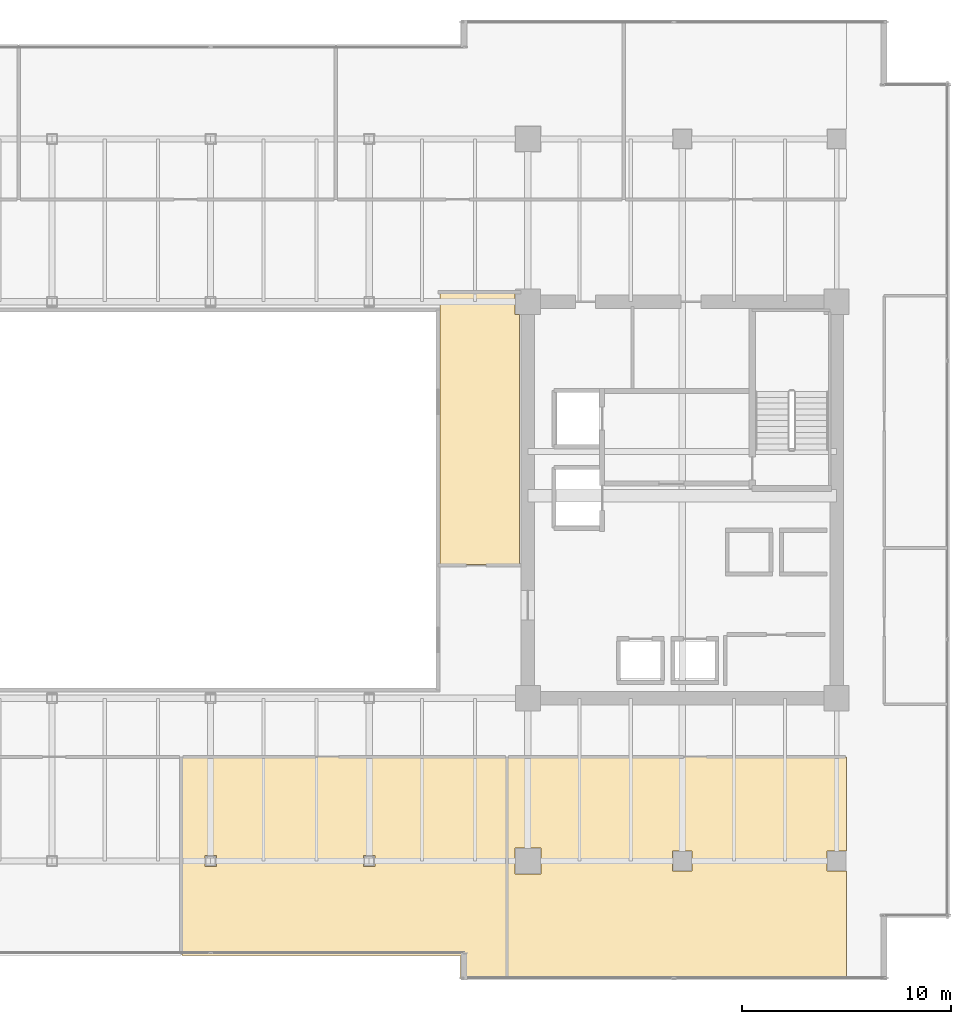
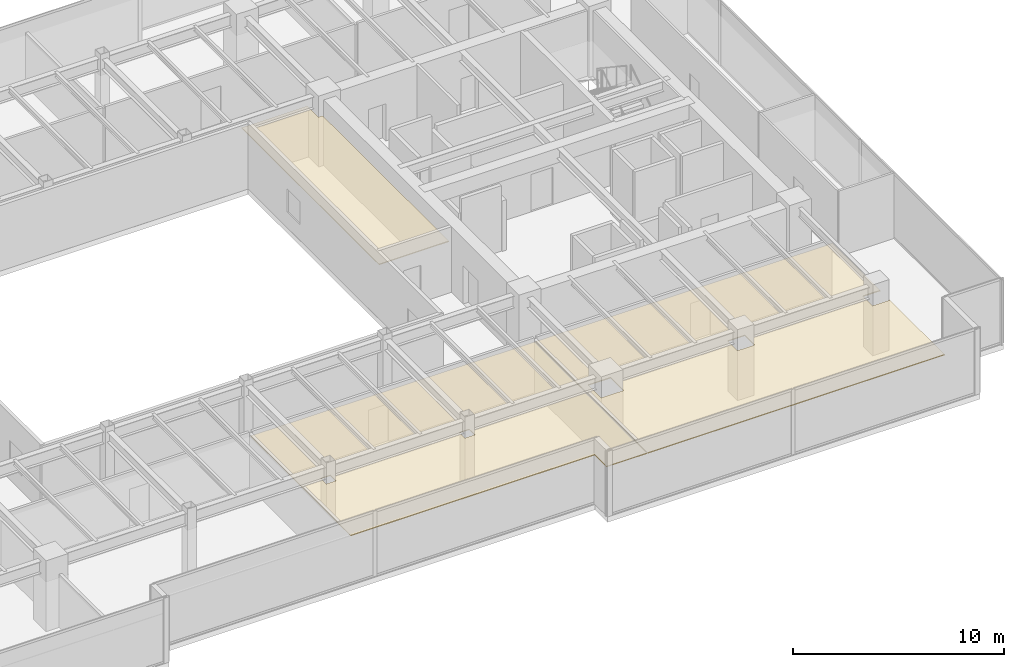
# One storey, part 32 of 34: 3 coverings.
"""IFC4 building model written with IfcOpenShell, lengths in metres."""

from ifc_helpers import new_model, si_unit, direction, frame, origin, place, context, subcontext, project, spatial, polyline, outline, extrude, material, layer, layer_set, type_object, element, save


model = new_model("IFC4")

# Units and contexts
model_context = context("Model", 3, precision=1e-05, world=origin(), true_north=direction((0.0, 1.0)))
body_context = subcontext(model_context, "Body", "Model", "MODEL_VIEW")
ifc_project = project(units=[si_unit("LENGTHUNIT", "METRE"), si_unit("AREAUNIT", "SQUARE_METRE"), si_unit("VOLUMEUNIT", "CUBIC_METRE"), si_unit("PLANEANGLEUNIT", "RADIAN"), si_unit("MASSUNIT", "GRAM", prefix="KILO")], contexts=[model_context])

# Site, building, storey
site_placement = place(None, origin())
site = spatial("IfcSite", under=ifc_project, at=site_placement, CompositionType="ELEMENT")
building_placement = place(site_placement, origin())
building = spatial("IfcBuilding", under=site, at=building_placement, Name="Haelvirn Gate Laboratories", CompositionType="ELEMENT")
storey_placement = place(building_placement, frame((0.0, 0.0, 178.89990234375)))
storey = spatial("IfcBuildingStorey", under=building, at=storey_placement, Name="L43", CompositionType="ELEMENT", Elevation=178.89990234375)

# Coverings
ifc_material = material(Name="Washable cleanroom gasketed aluminium ceiling", Category="aluminium")
ifc_layer = layer(ifc_material, 0.050048828125, Name="COV-CEIL-CLN")
ifc_layer_set = layer_set([ifc_layer], Name="Washable cleanroom gasketed aluminium ceiling")
covering_type = type_object("IfcCoveringType", Name="COV-CEIL-CLN", PredefinedType="CEILING", material=ifc_layer_set)
covering_1_placement = place(storey_placement, frame((0.0, 0.0, 2.860107421875)))
element("IfcCovering", 1, at=covering_1_placement, inside=storey, type_object=covering_type, Name="L43 Laboratory Acoustic Ceiling CEIL-SP-L43-ATRIUM-SEM", PredefinedType="CEILING", context=body_context, shape_type="SweptSolid", body=[
    extrude(outline(polyline([(52.2099609375, 21.219970703125), (48.389892578125, 21.219970703125), (48.389892578125, 34.239990234375), (51.97998046875, 34.239990234375), (51.97998046875, 33.179931640625), (52.2099609375, 33.179931640625), (52.2099609375, 21.219970703125)])), origin(), (0.0, 0.0, 1.0), 0.050048828125),
])
covering_2_placement = place(storey_placement, frame((0.0, 0.0, 2.860107421875)))
element("IfcCovering", 2, at=covering_2_placement, inside=storey, type_object=covering_type, Name="L43 Laboratory Acoustic Ceiling CEIL-SP-L43-S-03", PredefinedType="CEILING", context=body_context, shape_type="SweptSolid", body=[
    extrude(outline(polyline([(36.02001953125, 2.47998046875), (36.02001953125, 11.97998046875), (51.580078125, 11.97998046875), (51.580078125, 1.35009765625), (49.3798828125, 1.35009765625), (49.3798828125, 2.47998046875), (36.02001953125, 2.47998046875)]), holes=[polyline([(37.1298828125, 7.27001953125), (37.1298828125, 6.72998046875), (37.669921875, 6.72998046875), (37.669921875, 7.27001953125), (37.1298828125, 7.27001953125)]), polyline([(45.27001953125, 7.27001953125), (44.72998046875, 7.27001953125), (44.72998046875, 6.72998046875), (45.27001953125, 6.72998046875), (45.27001953125, 7.27001953125)])]), origin(), (0.0, 0.0, 1.0), 0.050048828125),
])
covering_3_placement = place(storey_placement, frame((0.0, 0.0, 2.860107421875)))
element("IfcCovering", 3, at=covering_3_placement, inside=storey, type_object=covering_type, Name="L43 Laboratory Acoustic Ceiling CEIL-SP-L43-S-04", PredefinedType="CEILING", context=body_context, shape_type="SweptSolid", body=[
    extrude(outline(polyline([(67.8798828125, 1.35009765625), (51.6201171875, 1.35009765625), (51.6201171875, 11.97998046875), (67.8798828125, 11.97998046875), (67.8798828125, 7.409912109375), (67.8701171875, 7.409912109375), (67.8701171875, 7.469970703125), (66.929931640625, 7.469970703125), (66.929931640625, 6.530029296875), (67.8701171875, 6.530029296875), (67.8701171875, 6.590087890625), (67.8798828125, 6.590087890625), (67.8798828125, 1.35009765625)]), holes=[polyline([(51.97998046875, 6.3798828125), (53.219970703125, 6.3798828125), (53.219970703125, 7.6201171875), (51.97998046875, 7.6201171875), (51.97998046875, 6.3798828125)]), polyline([(59.530029296875, 7.469970703125), (59.530029296875, 6.530029296875), (60.469970703125, 6.530029296875), (60.469970703125, 7.469970703125), (59.530029296875, 7.469970703125)])]), origin(), (0.0, 0.0, 1.0), 0.050048828125),
])

save(model, "model.ifc")
